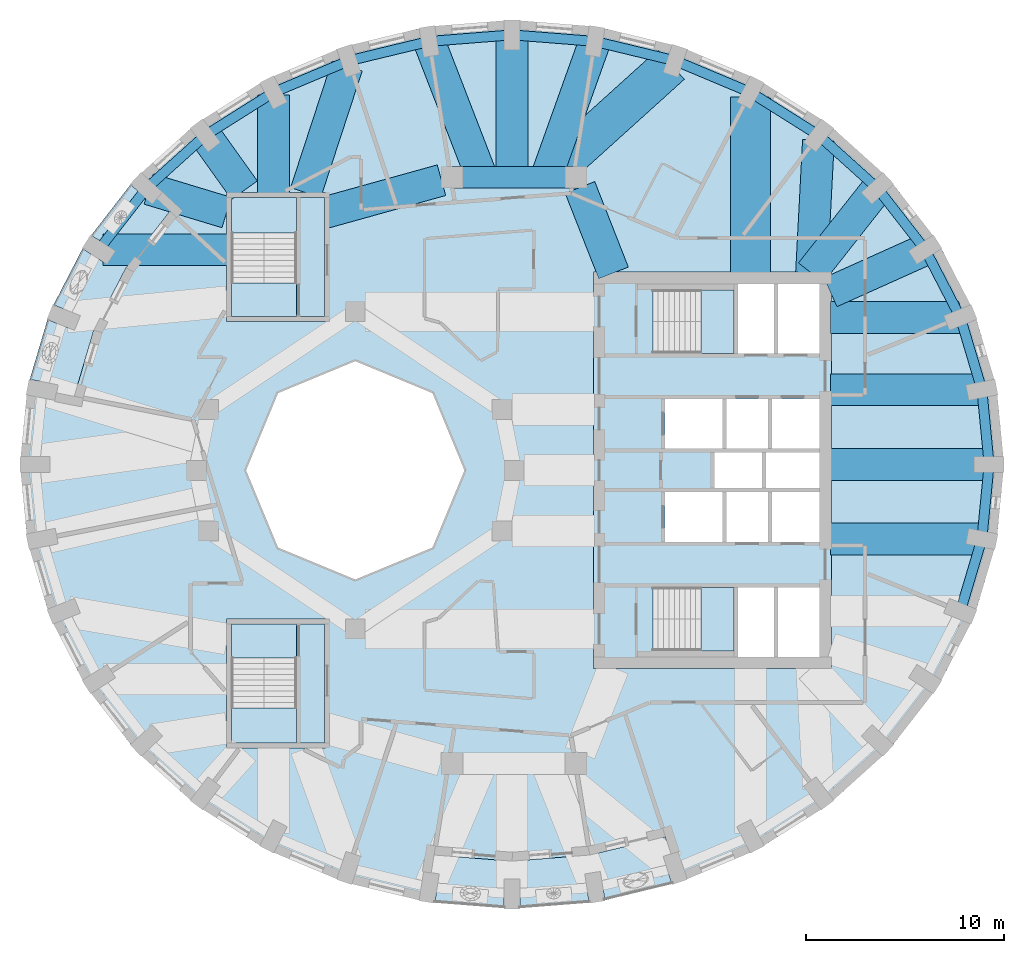
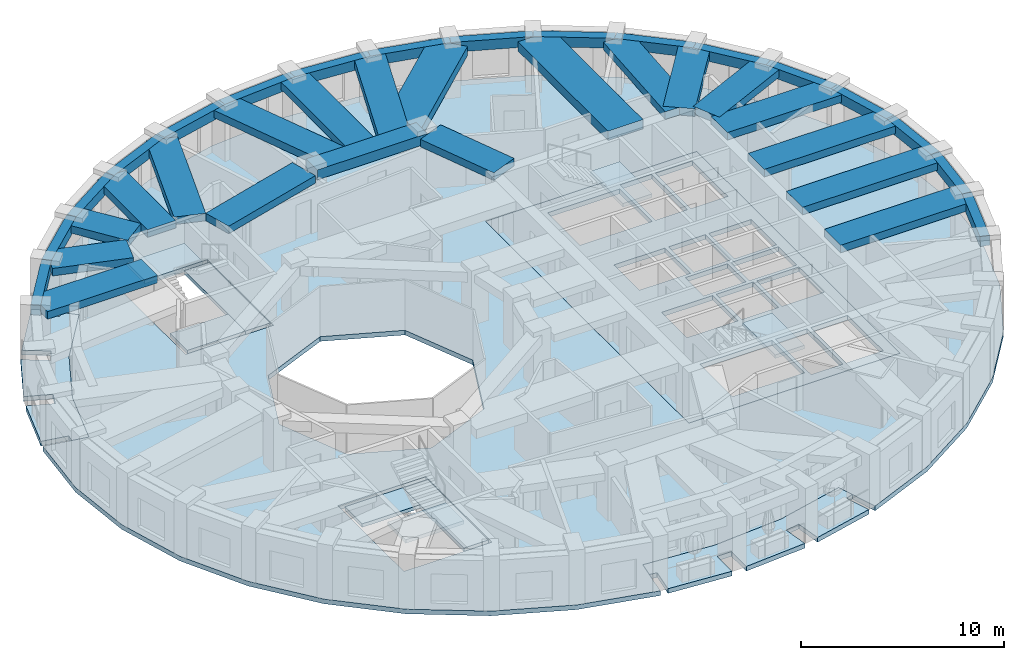
# One storey, part 2 of 12: 37 beams, 12 slabs, 4 elements without a shape of their own.
"""IFC4 building model written with IfcOpenShell, lengths in metres."""

from ifc_helpers import new_model, si_unit, direction, frame, origin, origin_2d, place, context, subcontext, project, spatial, polyline, rectangle, outline, extrude, material, layer, layer_set, material_profile, profile_set, type_object, element, aggregate, save


model = new_model("IFC4")

# Units and contexts
model_context = context("Model", 3, precision=1e-05, world=origin(), true_north=direction((0.0, 1.0)))
body_context = subcontext(model_context, "Body", "Model", "MODEL_VIEW")
ifc_project = project(units=[si_unit("LENGTHUNIT", "METRE"), si_unit("AREAUNIT", "SQUARE_METRE"), si_unit("VOLUMEUNIT", "CUBIC_METRE"), si_unit("PLANEANGLEUNIT", "RADIAN"), si_unit("MASSUNIT", "GRAM", prefix="KILO")], contexts=[model_context])

# Site, building, storey
site_placement = place(None, origin())
site = spatial("IfcSite", under=ifc_project, at=site_placement, CompositionType="ELEMENT")
building_placement = place(site_placement, origin())
building = spatial("IfcBuilding", under=site, at=building_placement, Name="Taillehof Tower", CompositionType="ELEMENT")
storey_placement = place(building_placement, frame((0.0, 0.0, 249.800048828125)))
storey = spatial("IfcBuildingStorey", under=building, at=storey_placement, Name="L71", CompositionType="ELEMENT", Elevation=249.800048828125)

# Beams
ifc_material_1 = material(Name="Concrete C50/60", Category="concrete")
ifc_material_profile_1 = material_profile(ifc_material_1, rectangle(XDim=1.10009765625, YDim=0.60009765625, at=origin_2d()), Name="RC 1100x600")
ifc_profile_set_1 = profile_set([ifc_material_profile_1], Name="Concrete C50/60")
beam_type_1 = type_object("IfcBeamType", Name="Mid-ring beam C50/60 1100x600", PredefinedType="BEAM", material=ifc_profile_set_1)
beam_1_placement = place(storey_placement, frame((3.125732421875, 14.772216796875, 2.719970703125), z_axis=(-1.0, 0.0, 0.0), x_axis=(0.0, -1.0, 0.0)))
element("IfcBeam", 1, at=beam_1_placement, inside=storey, type_object=beam_type_1, Name="Mid-ring beam MB01", PredefinedType="BEAM", context=body_context, shape_type="SweptSolid", body=[
    extrude(rectangle(XDim=1.10009765625, YDim=0.60009765625, at=origin_2d()), origin(), (0.0, 0.0, 1.0), 6.25146484375),
])
ifc_material_2 = material(Name="Concrete C50/60", Category="concrete")
ifc_material_profile_2 = material_profile(ifc_material_2, rectangle(XDim=1.60009765625, YDim=0.449951171875, at=origin_2d()), Name="RC 1600x450")
ifc_profile_set_2 = profile_set([ifc_material_profile_2], Name="Concrete C50/60")
beam_type_2 = type_object("IfcBeamType", Name="Radial band beam C50/60 1600x450", PredefinedType="BEAM", material=ifc_profile_set_2)
beam_2_placement = place(storey_placement, frame((23.949951171875, 0.300048828125, 2.794921875), z_axis=(-1.0, 0.0, 0.0), x_axis=(0.0, -1.0, 0.0)))
element("IfcBeam", 2, at=beam_2_placement, inside=storey, type_object=beam_type_2, Name="Radial band beam RB01", PredefinedType="BEAM", context=body_context, shape_type="SweptSolid", body=[
    extrude(rectangle(XDim=1.60009765625, YDim=0.449951171875, at=origin_2d()), origin(), (0.0, 0.0, 1.0), 8.0),
])
beam_3_placement = place(storey_placement, frame((23.584716796875, 4.0595703125, 2.794921875), z_axis=(-1.0, 0.0, 0.0), x_axis=(0.0, -1.0, 0.0)))
element("IfcBeam", 3, at=beam_3_placement, inside=storey, type_object=beam_type_2, Name="Radial band beam RB02", PredefinedType="BEAM", context=body_context, shape_type="SweptSolid", body=[
    extrude(rectangle(XDim=1.60009765625, YDim=0.449951171875, at=origin_2d()), origin(), (0.0, 0.0, 1.0), 7.634765625),
])
beam_4_placement = place(storey_placement, frame((22.44580078125, 7.704833984375, 2.794921875), z_axis=(-1.0, 0.0, 0.0), x_axis=(0.0, -1.0, 0.0)))
element("IfcBeam", 4, at=beam_4_placement, inside=storey, type_object=beam_type_2, Name="Radial band beam RB03", PredefinedType="BEAM", context=body_context, shape_type="SweptSolid", body=[
    extrude(rectangle(XDim=1.60009765625, YDim=0.449951171875, at=origin_2d()), origin(), (0.0, 0.0, 1.0), 6.495849609375),
])
beam_5_placement = place(storey_placement, frame((20.72802734375, 11.125, 2.794921875), z_axis=(-0.912110813011, -0.409943733685, 0.0), x_axis=(0.409943733685, -0.912110813011, 0.0)))
element("IfcBeam", 5, at=beam_5_placement, inside=storey, type_object=beam_type_2, Name="Radial band beam RB04", PredefinedType="BEAM", context=body_context, shape_type="SweptSolid", body=[
    extrude(rectangle(XDim=1.60009765625, YDim=0.449951171875, at=origin_2d()), origin(), (0.0, 0.0, 1.0), 5.233642578125),
])
beam_6_placement = place(storey_placement, frame((18.323486328125, 14.21630859375, 2.794921875), z_axis=(-0.619052480422, -0.785349620541, 0.0), x_axis=(0.785349620541, -0.619052480422, 0.0)))
element("IfcBeam", 6, at=beam_6_placement, inside=storey, type_object=beam_type_2, Name="Radial band beam RB05", PredefinedType="BEAM", context=body_context, shape_type="SweptSolid", body=[
    extrude(rectangle(XDim=1.60009765625, YDim=0.449951171875, at=origin_2d()), origin(), (0.0, 0.0, 1.0), 5.418701171875),
])
beam_7_placement = place(storey_placement, frame((15.3466796875, 16.645751953125, 2.794921875), z_axis=(-0.052105887855, -0.998641565553, 0.0), x_axis=(0.998641565553, -0.052105887855, 0.0)))
element("IfcBeam", 7, at=beam_7_placement, inside=storey, type_object=beam_type_2, Name="Radial band beam RB06", PredefinedType="BEAM", context=body_context, shape_type="SweptSolid", body=[
    extrude(rectangle(XDim=1.60009765625, YDim=0.449951171875, at=origin_2d()), origin(), (0.0, 0.0, 1.0), 6.704833984375),
])
beam_8_placement = place(storey_placement, frame((4.076171875, 21.62109375, 2.794921875), z_axis=(-0.33687426523, -0.941549642571, 0.0), x_axis=(0.941549642571, -0.33687426523, 0.0)))
element("IfcBeam", 8, at=beam_8_placement, inside=storey, type_object=beam_type_2, Name="Radial band beam RB09", PredefinedType="BEAM", context=body_context, shape_type="SweptSolid", body=[
    extrude(rectangle(XDim=1.60009765625, YDim=0.449951171875, at=origin_2d()), origin(), (0.0, 0.0, 1.0), 7.27392578125),
])
beam_9_placement = place(storey_placement, frame((-0.10009765625, 21.949951171875, 2.794921875), z_axis=(0.0, -1.0, 0.0), x_axis=(1.0, 0.0, 0.0)))
element("IfcBeam", 9, at=beam_9_placement, inside=storey, type_object=beam_type_2, Name="Radial band beam RB10", PredefinedType="BEAM", context=body_context, shape_type="SweptSolid", body=[
    extrude(rectangle(XDim=1.60009765625, YDim=0.449951171875, at=origin_2d()), origin(), (0.0, 0.0, 1.0), 7.177734375),
])
beam_10_placement = place(storey_placement, frame((-4.276123046875, 21.62109375, 2.794921875), z_axis=(0.360900836016, -0.932604196089, 0.0), x_axis=(0.932604196089, 0.360900836016, 0.0)))
element("IfcBeam", 10, at=beam_10_placement, inside=storey, type_object=beam_type_2, Name="Radial band beam RB11", PredefinedType="BEAM", context=body_context, shape_type="SweptSolid", body=[
    extrude(rectangle(XDim=1.60009765625, YDim=0.449951171875, at=origin_2d()), origin(), (0.0, 0.0, 1.0), 7.34375),
])
beam_11_placement = place(storey_placement, frame((-8.41162109375, 20.38134765625, 2.794921875), z_axis=(-0.311042642597, -0.950395956687, 0.0), x_axis=(0.950395956687, -0.311042642597, 0.0)))
element("IfcBeam", 11, at=beam_11_placement, inside=storey, type_object=beam_type_2, Name="Radial band beam RB12", PredefinedType="BEAM", context=body_context, shape_type="SweptSolid", body=[
    extrude(rectangle(XDim=1.60009765625, YDim=0.449951171875, at=origin_2d()), origin(), (0.0, 0.0, 1.0), 6.715576171875),
])
beam_12_placement = place(storey_placement, frame((-12.125, 18.91552734375, 2.794921875), z_axis=(0.0, -1.0, 0.0), x_axis=(1.0, 0.0, 0.0)))
element("IfcBeam", 12, at=beam_12_placement, inside=storey, type_object=beam_type_2, Name="Radial band beam RB13", PredefinedType="BEAM", context=body_context, shape_type="SweptSolid", body=[
    extrude(rectangle(XDim=1.60009765625, YDim=0.449951171875, at=origin_2d()), origin(), (0.0, 0.0, 1.0), 4.965576171875),
])
beam_13_placement = place(storey_placement, frame((-15.55908203125, 16.884765625, 2.794921875), z_axis=(0.580959197129, -0.813932682272, 0.0), x_axis=(0.813932682272, 0.580959197129, 0.0)))
element("IfcBeam", 13, at=beam_13_placement, inside=storey, type_object=beam_type_2, Name="Radial band beam RB14", PredefinedType="BEAM", context=body_context, shape_type="SweptSolid", body=[
    extrude(rectangle(XDim=1.60009765625, YDim=0.449951171875, at=origin_2d()), origin(), (0.0, 0.0, 1.0), 3.394287109375),
])
beam_14_placement = place(storey_placement, frame((-18.413818359375, 14.18310546875, 2.794921875), z_axis=(0.957221394865, -0.289356529584, 0.0), x_axis=(0.289356529584, 0.957221394865, 0.0)))
element("IfcBeam", 14, at=beam_14_placement, inside=storey, type_object=beam_type_2, Name="Radial band beam RB15", PredefinedType="BEAM", context=body_context, shape_type="SweptSolid", body=[
    extrude(rectangle(XDim=1.60009765625, YDim=0.449951171875, at=origin_2d()), origin(), (0.0, 0.0, 1.0), 4.102294921875),
])
beam_15_placement = place(storey_placement, frame((-20.7119140625, 11.125, 2.794921875), z_axis=(1.0, 0.0, 0.0), x_axis=(0.0, 1.0, 0.0)))
element("IfcBeam", 15, at=beam_15_placement, inside=storey, type_object=beam_type_2, Name="Radial band beam RB16", PredefinedType="BEAM", context=body_context, shape_type="SweptSolid", body=[
    extrude(rectangle(XDim=1.60009765625, YDim=0.449951171875, at=origin_2d()), origin(), (0.0, 0.0, 1.0), 6.261962890625),
])
beam_16_placement = place(storey_placement, frame((23.584716796875, -3.45947265625, 2.794921875), z_axis=(-1.0, 0.0, 0.0), x_axis=(0.0, -1.0, 0.0)))
element("IfcBeam", 16, at=beam_16_placement, inside=storey, type_object=beam_type_2, Name="Radial band beam RB36", PredefinedType="BEAM", context=body_context, shape_type="SweptSolid", body=[
    extrude(rectangle(XDim=1.60009765625, YDim=0.449951171875, at=origin_2d()), origin(), (0.0, 0.0, 1.0), 7.634765625),
])
beam_17_placement = place(storey_placement, frame((3.32666015625, 14.26025390625, 2.794921875), z_axis=(0.365588707223, -0.930776502255, 0.0), x_axis=(0.930776502255, 0.365588707223, 0.0)))
element("IfcBeam", 17, at=beam_17_placement, inside=storey, type_object=beam_type_2, Name="Inner band beam IB205", PredefinedType="BEAM", context=body_context, shape_type="SweptSolid", body=[
    extrude(rectangle(XDim=1.60009765625, YDim=0.449951171875, at=origin_2d()), origin(), (0.0, 0.0, 1.0), 4.627197265625),
])
beam_18_placement = place(storey_placement, frame((-3.655517578125, 14.624755859375, 2.794921875), z_axis=(-0.963459369536, -0.267854518821, 0.0), x_axis=(0.267854518821, -0.963459369536, 0.0)))
element("IfcBeam", 18, at=beam_18_placement, inside=storey, type_object=beam_type_2, Name="Inner band beam IB206", PredefinedType="BEAM", context=body_context, shape_type="SweptSolid", body=[
    extrude(rectangle(XDim=1.60009765625, YDim=0.449951171875, at=origin_2d()), origin(), (0.0, 0.0, 1.0), 6.096923828125),
])
ifc_material_3 = material(Name="Concrete C50/60", Category="concrete")
ifc_material_profile_3 = material_profile(ifc_material_3, rectangle(XDim=2.0, YDim=0.550048828125, at=origin_2d()), Name="RC 2000x550")
ifc_profile_set_3 = profile_set([ifc_material_profile_3], Name="Concrete C50/60")
beam_type_3 = type_object("IfcBeamType", Name="Radial band beam C50/60 2000x550", PredefinedType="BEAM", material=ifc_profile_set_3)
beam_19_placement = place(storey_placement, frame((11.925048828125, 18.8115234375, 2.744873046875), z_axis=(0.0, -1.0, 0.0), x_axis=(1.0, 0.0, 0.0)))
element("IfcBeam", 19, at=beam_19_placement, inside=storey, type_object=beam_type_3, Name="Radial band beam RB07", PredefinedType="BEAM", context=body_context, shape_type="SweptSolid", body=[
    extrude(rectangle(XDim=2.0, YDim=0.550048828125, at=origin_2d()), origin(), (0.0, 0.0, 1.0), 8.861572265625),
])
beam_20_placement = place(storey_placement, frame((7.9150390625, 20.4541015625, 2.744873046875), z_axis=(-0.742031364941, -0.670365164253, 0.0), x_axis=(0.670365164253, -0.742031364941, 0.0)))
element("IfcBeam", 20, at=beam_20_placement, inside=storey, type_object=beam_type_3, Name="Radial band beam RB08", PredefinedType="BEAM", context=body_context, shape_type="SweptSolid", body=[
    extrude(rectangle(XDim=2.0, YDim=0.550048828125, at=origin_2d()), origin(), (0.0, 0.0, 1.0), 8.189453125),
])
ifc_material_4 = material(Name="Concrete C50/60", Category="concrete")
ifc_material_profile_4 = material_profile(ifc_material_4, rectangle(XDim=0.5, YDim=0.60009765625, at=origin_2d()), Name="RC 500x600")
ifc_profile_set_4 = profile_set([ifc_material_profile_4], Name="Concrete C50/60")
beam_type_4 = type_object("IfcBeamType", Name="Spandrel beam C50/60 500x600", PredefinedType="SPANDREL", material=ifc_profile_set_4)
beam_21_placement = place(storey_placement, frame((23.949951171875, 0.300048828125, 2.719970703125), z_axis=(-0.096693940319, 0.995314162416, 0.0), x_axis=(-0.995314162416, -0.096693940319, 0.0)))
element("IfcBeam", 21, at=beam_21_placement, inside=storey, type_object=beam_type_4, Name="Spandrel beam SB01", PredefinedType="SPANDREL", context=body_context, shape_type="SweptSolid", body=[
    extrude(rectangle(XDim=0.5, YDim=0.60009765625, at=origin_2d()), origin(), (0.0, 0.0, 1.0), 3.777099609375),
])
beam_22_placement = place(storey_placement, frame((23.584716796875, 4.0595703125, 2.719970703125), z_axis=(-0.285327303248, 0.95843013831, 0.0), x_axis=(-0.95843013831, -0.285327303248, 0.0)))
element("IfcBeam", 22, at=beam_22_placement, inside=storey, type_object=beam_type_4, Name="Spandrel beam SB02", PredefinedType="SPANDREL", context=body_context, shape_type="SweptSolid", body=[
    extrude(rectangle(XDim=0.5, YDim=0.60009765625, at=origin_2d()), origin(), (0.0, 0.0, 1.0), 3.803466796875),
])
beam_23_placement = place(storey_placement, frame((22.49951171875, 7.704833984375, 2.719970703125), z_axis=(-0.45992118545, 0.887959741865, 0.0), x_axis=(-0.887959741865, -0.45992118545, 0.0)))
element("IfcBeam", 23, at=beam_23_placement, inside=storey, type_object=beam_type_4, Name="Spandrel beam SB03", PredefinedType="SPANDREL", context=body_context, shape_type="SweptSolid", body=[
    extrude(rectangle(XDim=0.5, YDim=0.60009765625, at=origin_2d()), origin(), (0.0, 0.0, 1.0), 3.851806640625),
])
beam_24_placement = place(storey_placement, frame((20.72802734375, 11.125, 2.719970703125), z_axis=(-0.613970823209, 0.78932872002, 0.0), x_axis=(-0.78932872002, -0.613970823209, 0.0)))
element("IfcBeam", 24, at=beam_24_placement, inside=storey, type_object=beam_type_4, Name="Spandrel beam SB04", PredefinedType="SPANDREL", context=body_context, shape_type="SweptSolid", body=[
    extrude(rectangle(XDim=0.5, YDim=0.60009765625, at=origin_2d()), origin(), (0.0, 0.0, 1.0), 3.916259765625),
])
beam_25_placement = place(storey_placement, frame((18.323486328125, 14.21630859375, 2.719970703125), z_axis=(-0.743227182134, 0.669039128704, 0.0), x_axis=(-0.669039128704, -0.743227182134, 0.0)))
element("IfcBeam", 25, at=beam_25_placement, inside=storey, type_object=beam_type_4, Name="Spandrel beam SB05", PredefinedType="SPANDREL", context=body_context, shape_type="SweptSolid", body=[
    extrude(rectangle(XDim=0.5, YDim=0.60009765625, at=origin_2d()), origin(), (0.0, 0.0, 1.0), 3.988525390625),
])
beam_26_placement = place(storey_placement, frame((15.359130859375, 16.884765625, 2.719970703125), z_axis=(-0.845944476237, 0.5332709847, 0.0), x_axis=(-0.5332709847, -0.845944476237, 0.0)))
element("IfcBeam", 26, at=beam_26_placement, inside=storey, type_object=beam_type_4, Name="Spandrel beam SB06", PredefinedType="SPANDREL", context=body_context, shape_type="SweptSolid", body=[
    extrude(rectangle(XDim=0.5, YDim=0.60009765625, at=origin_2d()), origin(), (0.0, 0.0, 1.0), 4.0595703125),
])
beam_27_placement = place(storey_placement, frame((11.925048828125, 19.049560546875, 2.719970703125), z_axis=(-0.922076419735, 0.387007850267, 0.0), x_axis=(-0.387007850267, -0.922076419735, 0.0)))
element("IfcBeam", 27, at=beam_27_placement, inside=storey, type_object=beam_type_4, Name="Spandrel beam SB07", PredefinedType="SPANDREL", context=body_context, shape_type="SweptSolid", body=[
    extrude(rectangle(XDim=0.5, YDim=0.60009765625, at=origin_2d()), origin(), (0.0, 0.0, 1.0), 4.12060546875),
])
beam_28_placement = place(storey_placement, frame((8.12548828125, 20.644287109375, 2.719970703125), z_axis=(-0.972115850295, 0.234501116425, 0.0), x_axis=(-0.234501116425, -0.972115850295, 0.0)))
element("IfcBeam", 28, at=beam_28_placement, inside=storey, type_object=beam_type_4, Name="Spandrel beam SB08", PredefinedType="SPANDREL", context=body_context, shape_type="SweptSolid", body=[
    extrude(rectangle(XDim=0.5, YDim=0.60009765625, at=origin_2d()), origin(), (0.0, 0.0, 1.0), 4.16552734375),
])
beam_29_placement = place(storey_placement, frame((4.076171875, 21.62109375, 2.719970703125), z_axis=(-0.996914011582, 0.078501296247, 0.0), x_axis=(-0.078501296247, -0.996914011582, 0.0)))
element("IfcBeam", 29, at=beam_29_placement, inside=storey, type_object=beam_type_4, Name="Spandrel beam SB09", PredefinedType="SPANDREL", context=body_context, shape_type="SweptSolid", body=[
    extrude(rectangle(XDim=0.5, YDim=0.60009765625, at=origin_2d()), origin(), (0.0, 0.0, 1.0), 4.189208984375),
])
beam_30_placement = place(storey_placement, frame((-0.10009765625, 21.949951171875, 2.719970703125), z_axis=(-0.996913652411, -0.07850585734, 0.0), x_axis=(0.07850585734, -0.996913652411, 0.0)))
element("IfcBeam", 30, at=beam_30_placement, inside=storey, type_object=beam_type_4, Name="Spandrel beam SB10", PredefinedType="SPANDREL", context=body_context, shape_type="SweptSolid", body=[
    extrude(rectangle(XDim=0.5, YDim=0.60009765625, at=origin_2d()), origin(), (0.0, 0.0, 1.0), 4.18896484375),
])
beam_31_placement = place(storey_placement, frame((-4.276123046875, 21.62109375, 2.719970703125), z_axis=(-0.972119073064, -0.234487756154, 0.0), x_axis=(0.234487756154, -0.972119073064, 0.0)))
element("IfcBeam", 31, at=beam_31_placement, inside=storey, type_object=beam_type_4, Name="Spandrel beam SB11", PredefinedType="SPANDREL", context=body_context, shape_type="SweptSolid", body=[
    extrude(rectangle(XDim=0.5, YDim=0.60009765625, at=origin_2d()), origin(), (0.0, 0.0, 1.0), 4.165771484375),
])
beam_32_placement = place(storey_placement, frame((-8.32568359375, 20.644287109375, 2.719970703125), z_axis=(-0.922067545136, -0.387028994013, 0.0), x_axis=(0.387028994013, -0.922067545136, 0.0)))
element("IfcBeam", 32, at=beam_32_placement, inside=storey, type_object=beam_type_4, Name="Spandrel beam SB12", PredefinedType="SPANDREL", context=body_context, shape_type="SweptSolid", body=[
    extrude(rectangle(XDim=0.5, YDim=0.60009765625, at=origin_2d()), origin(), (0.0, 0.0, 1.0), 4.120361328125),
])
beam_33_placement = place(storey_placement, frame((-12.125, 19.049560546875, 2.719970703125), z_axis=(-0.845944476237, -0.5332709847, 0.0), x_axis=(0.5332709847, -0.845944476237, 0.0)))
element("IfcBeam", 33, at=beam_33_placement, inside=storey, type_object=beam_type_4, Name="Spandrel beam SB13", PredefinedType="SPANDREL", context=body_context, shape_type="SweptSolid", body=[
    extrude(rectangle(XDim=0.5, YDim=0.60009765625, at=origin_2d()), origin(), (0.0, 0.0, 1.0), 4.0595703125),
])
beam_34_placement = place(storey_placement, frame((-15.55908203125, 16.884765625, 2.719970703125), z_axis=(-0.743227182134, -0.669039128704, 0.0), x_axis=(0.669039128704, -0.743227182134, 0.0)))
element("IfcBeam", 34, at=beam_34_placement, inside=storey, type_object=beam_type_4, Name="Spandrel beam SB14", PredefinedType="SPANDREL", context=body_context, shape_type="SweptSolid", body=[
    extrude(rectangle(XDim=0.5, YDim=0.60009765625, at=origin_2d()), origin(), (0.0, 0.0, 1.0), 3.988525390625),
])
beam_35_placement = place(storey_placement, frame((-18.5234375, 14.21630859375, 2.719970703125), z_axis=(-0.613970823209, -0.78932872002, 0.0), x_axis=(0.78932872002, -0.613970823209, 0.0)))
element("IfcBeam", 35, at=beam_35_placement, inside=storey, type_object=beam_type_4, Name="Spandrel beam SB15", PredefinedType="SPANDREL", context=body_context, shape_type="SweptSolid", body=[
    extrude(rectangle(XDim=0.5, YDim=0.60009765625, at=origin_2d()), origin(), (0.0, 0.0, 1.0), 3.916259765625),
])
beam_36_placement = place(storey_placement, frame((22.49951171875, -7.104736328125, 2.719970703125), z_axis=(0.285327303248, 0.95843013831, 0.0), x_axis=(-0.95843013831, 0.285327303248, 0.0)))
element("IfcBeam", 36, at=beam_36_placement, inside=storey, type_object=beam_type_4, Name="Spandrel beam SB35", PredefinedType="SPANDREL", context=body_context, shape_type="SweptSolid", body=[
    extrude(rectangle(XDim=0.5, YDim=0.60009765625, at=origin_2d()), origin(), (0.0, 0.0, 1.0), 3.803466796875),
])
beam_37_placement = place(storey_placement, frame((23.584716796875, -3.45947265625, 2.719970703125), z_axis=(0.096693940319, 0.995314162416, 0.0), x_axis=(-0.995314162416, 0.096693940319, 0.0)))
element("IfcBeam", 37, at=beam_37_placement, inside=storey, type_object=beam_type_4, Name="Spandrel beam SB36", PredefinedType="SPANDREL", context=body_context, shape_type="SweptSolid", body=[
    extrude(rectangle(XDim=0.5, YDim=0.60009765625, at=origin_2d()), origin(), (0.0, 0.0, 1.0), 3.777099609375),
])

# Slabs
ifc_material_5 = material(Name="Concrete C40/50", Category="concrete")
ifc_layer_1 = layer(ifc_material_5, 0.280029296875)
ifc_layer_set_1 = layer_set([ifc_layer_1], Name="Balcony slab 280")
slab_type_1 = type_object("IfcSlabType", Name="Balcony slab 280", PredefinedType="USERDEFINED", material=ifc_layer_set_1)
slab_1_placement = place(storey_placement, frame((0.0, 0.0, -0.280029296875)))
element("IfcSlab", 38, at=slab_1_placement, inside=storey, type_object=slab_type_1, Name="Balcony L71 pocket 8", ObjectType="BALCONY", PredefinedType="USERDEFINED", context=body_context, shape_type="SweptSolid", body=[
    extrude(outline(polyline([(7.632568359375, -18.46923828125), (7.913818359375, -19.324462890625), (7.511474609375, -19.456787109375), (7.968994140625, -20.84912109375), (4.584228515625, -21.668212890625), (4.353271484375, -20.217529296875), (3.563232421875, -20.34326171875), (3.7939453125, -21.792236328125), (0.300048828125, -22.068359375), (0.300048828125, -20.60009765625), (-0.5, -20.60009765625), (-0.5, -22.068359375), (-3.994140625, -21.792236328125), (-3.76318359375, -20.34326171875), (-4.170654296875, -20.278564453125), (-4.029052734375, -19.3896484375), (-0.10009765625, -19.699951171875), (3.8291015625, -19.3896484375), (7.632568359375, -18.46923828125)])), origin(), (0.0, 0.0, 1.0), 0.280029296875),
])
slab_2_placement = place(storey_placement, frame((0.0, 0.0, -0.280029296875)))
element("IfcSlab", 39, at=slab_2_placement, inside=storey, type_object=slab_type_1, Name="Balcony L71 pocket 4", ObjectType="BALCONY", PredefinedType="USERDEFINED", context=body_context, shape_type="SweptSolid", body=[
    extrude(outline(polyline([(-22.167724609375, 3.72998046875), (-23.051025390625, 3.90234375), (-22.971923828125, 4.308349609375), (-24.405029296875, 4.588134765625), (-23.511474609375, 7.6005859375), (-22.153564453125, 7.053466796875), (-21.8544921875, 7.79541015625), (-23.208251953125, 8.341064453125), (-21.74609375, 11.17333984375), (-20.511474609375, 10.384033203125), (-20.08056640625, 11.05810546875), (-21.310546875, 11.84423828125), (-19.320556640625, 14.4111328125), (-18.24609375, 13.412841796875), (-17.999755859375, 13.67822265625), (-17.339599609375, 13.06494140625), (-19.55517578125, 10.20751953125), (-21.17822265625, 7.064208984375), (-22.167724609375, 3.72998046875)])), origin(), (0.0, 0.0, 1.0), 0.280029296875),
])
ifc_material_6 = material(Name="Concrete C40/50", Category="concrete")
ifc_layer_2 = layer(ifc_material_6, 0.280029296875)
ifc_layer_set_2 = layer_set([ifc_layer_2], Name="Core floor slab C40/50 280")
slab_type_2 = type_object("IfcSlabType", Name="Core floor slab C40/50 280", PredefinedType="FLOOR", material=ifc_layer_set_2)
slab_3_placement = place(storey_placement, frame((0.0, 0.0, -0.280029296875)))
element("IfcSlab", 40, at=slab_3_placement, inside=storey, type_object=slab_type_2, Name="Core floor L71", PredefinedType="FLOOR", context=body_context, shape_type="SweptSolid", body=[
    extrude(outline(polyline([(4.0, -10.0), (4.0, 10.0), (16.0, 10.0), (16.0, -10.0), (4.0, -10.0)]), holes=[polyline([(11.10009765625, -9.10009765625), (11.10009765625, -5.89990234375), (7.00048828125, -5.89990234375), (7.00048828125, -9.10009765625), (11.10009765625, -9.10009765625)]), polyline([(10.5, -3.60009765625), (10.5, -1.10009765625), (7.60009765625, -1.10009765625), (7.60009765625, -3.60009765625), (10.5, -3.60009765625)]), polyline([(12.800048828125, -3.60009765625), (12.800048828125, -1.10009765625), (10.699951171875, -1.10009765625), (10.699951171875, -3.60009765625), (12.800048828125, -3.60009765625)]), polyline([(12.5, -0.89990234375), (12.5, 0.89990234375), (10.10009765625, 0.89990234375), (10.10009765625, -0.89990234375), (12.5, -0.89990234375)]), polyline([(10.5, 1.10009765625), (10.5, 3.60009765625), (7.60009765625, 3.60009765625), (7.60009765625, 1.10009765625), (10.5, 1.10009765625)]), polyline([(12.800048828125, 1.10009765625), (12.800048828125, 3.60009765625), (10.699951171875, 3.60009765625), (10.699951171875, 1.10009765625), (12.800048828125, 1.10009765625)]), polyline([(11.10009765625, 5.89990234375), (11.10009765625, 9.10009765625), (7.00048828125, 9.10009765625), (7.00048828125, 5.89990234375), (11.10009765625, 5.89990234375)]), polyline([(13.10009765625, -5.89990234375), (11.300048828125, -5.89990234375), (11.300048828125, -9.39990234375), (13.10009765625, -9.39990234375), (13.10009765625, -5.89990234375)]), polyline([(15.39990234375, -9.39990234375), (15.39990234375, -5.89990234375), (13.300048828125, -5.89990234375), (13.300048828125, -9.39990234375), (15.39990234375, -9.39990234375)]), polyline([(15.39990234375, -3.60009765625), (15.39990234375, -1.10009765625), (13.0, -1.10009765625), (13.0, -3.60009765625), (15.39990234375, -3.60009765625)]), polyline([(15.39990234375, -0.89990234375), (15.39990234375, 0.89990234375), (12.699951171875, 0.89990234375), (12.699951171875, -0.89990234375), (15.39990234375, -0.89990234375)]), polyline([(15.39990234375, 1.10009765625), (15.39990234375, 3.60009765625), (13.0, 3.60009765625), (13.0, 1.10009765625), (15.39990234375, 1.10009765625)]), polyline([(13.10009765625, 5.89990234375), (13.10009765625, 9.39990234375), (11.300048828125, 9.39990234375), (11.300048828125, 5.89990234375), (13.10009765625, 5.89990234375)]), polyline([(15.39990234375, 5.89990234375), (15.39990234375, 9.39990234375), (13.300048828125, 9.39990234375), (13.300048828125, 5.89990234375), (15.39990234375, 5.89990234375)])]), origin(), (0.0, 0.0, 1.0), 0.280029296875),
])
ifc_material_7 = material(Name="Concrete C40/50", Category="concrete")
ifc_layer_3 = layer(ifc_material_7, 0.280029296875)
ifc_layer_set_3 = layer_set([ifc_layer_3], Name="Floor slab 280")
slab_type_3 = type_object("IfcSlabType", Name="Floor slab 280", PredefinedType="FLOOR", material=ifc_layer_set_3)
slab_4_placement = place(storey_placement, frame((0.0, 0.0, -0.280029296875)))
element("IfcSlab", 41, at=slab_4_placement, inside=storey, type_object=slab_type_3, Name="Floor slab L71", PredefinedType="FLOOR", context=body_context, shape_type="SweptSolid", body=[
    extrude(outline(polyline([(24.699951171875, 0.300048828125), (24.3232421875, 4.189697265625), (23.204345703125, 7.961181640625), (21.37744140625, 11.5), (18.89794921875, 14.698486328125), (15.841064453125, 17.45947265625), (12.300048828125, 19.698974609375), (8.382080078125, 21.34912109375), (4.20654296875, 22.359619140625), (-0.10009765625, 22.699951171875), (-4.406494140625, 22.359619140625), (-8.58203125, 21.34912109375), (-12.5, 19.698974609375), (-16.041015625, 17.45947265625), (-19.097900390625, 14.698486328125), (-17.339599609375, 13.06494140625), (-19.555419921875, 10.20751953125), (-21.17822265625, 7.064208984375), (-22.167724609375, 3.72998046875), (-24.523193359375, 4.189697265625), (-24.89990234375, 0.300048828125), (-24.523193359375, -3.589599609375), (-23.404296875, -7.361328125), (-21.577392578125, -10.89990234375), (-19.097900390625, -14.098388671875), (-16.041015625, -16.859375), (-12.5, -19.09912109375), (-8.58203125, -20.7490234375), (-4.406494140625, -21.759765625), (-4.029052734375, -19.3896484375), (-0.10009765625, -19.699951171875), (3.8291015625, -19.3896484375), (7.632568359375, -18.46923828125), (8.382080078125, -20.7490234375), (12.300048828125, -19.09912109375), (15.841064453125, -16.859375), (18.89794921875, -14.098388671875), (21.37744140625, -10.89990234375), (23.204345703125, -7.361328125), (24.3232421875, -3.589599609375), (24.699951171875, 0.300048828125)]), holes=[polyline([(-14.5, -7.5), (-9.5, -7.5), (-9.5, -14.0), (-14.5, -14.0), (-14.5, -7.5)]), polyline([(-8.0, -5.5), (-11.88916015625, -3.88916015625), (-13.5, 0.0), (-11.88916015625, 3.88916015625), (-8.0, 5.5), (-4.11083984375, 3.88916015625), (-2.5, 0.0), (-4.11083984375, -3.88916015625), (-8.0, -5.5)]), polyline([(16.0, 10.0), (16.0, -10.0), (4.0, -10.0), (4.0, 10.0), (16.0, 10.0)]), polyline([(-14.5, 14.0), (-9.5, 14.0), (-9.5, 7.5), (-14.5, 7.5), (-14.5, 14.0)])]), origin(), (0.0, 0.0, 1.0), 0.280029296875),
])

# Stair, slab
ifc_material_8 = material(Name="Concrete C40/50", Category="concrete")
stair_type = type_object("IfcStairType", Name="Exit stair half-turn", PredefinedType="HALF_TURN_STAIR", material=ifc_material_8)
stair_1_placement = place(storey_placement, origin())
stair_1 = element("IfcStair", 42, at=stair_1_placement, inside=storey, type_object=stair_type, Name="Exit stair S1", PredefinedType="HALF_TURN_STAIR")
ifc_material_9 = material(Name="Concrete C40/50", Category="concrete")
ifc_layer_4 = layer(ifc_material_9, 0.2099609375)
ifc_layer_set_4 = layer_set([ifc_layer_4], Name="Stair landing C40/50 210")
slab_type_4 = type_object("IfcSlabType", Name="Stair landing C40/50 210", PredefinedType="LANDING", material=ifc_layer_set_4)
slab_5_placement = place(storey_placement, frame((0.0, 0.0, 1.43994140625)))
slab_5 = element("IfcSlab", 43, at=slab_5_placement, type_object=slab_type_4, Name="S1 landing 1", PredefinedType="LANDING", context=body_context, shape_type="SweptSolid", body=[
    extrude(outline(polyline([(9.429931640625, 5.89990234375), (11.10009765625, 5.89990234375), (11.10009765625, 9.10009765625), (9.429931640625, 9.10009765625), (9.429931640625, 5.89990234375)])), origin(), (0.0, 0.0, 1.0), 0.2099609375),
])
aggregate(stair_1, [slab_5])

stair_2_placement = place(storey_placement, origin())
stair_2 = element("IfcStair", 44, at=stair_2_placement, inside=storey, type_object=stair_type, Name="Exit stair S2", PredefinedType="HALF_TURN_STAIR")
slab_6_placement = place(storey_placement, frame((0.0, 0.0, 1.43994140625)))
slab_6 = element("IfcSlab", 45, at=slab_6_placement, type_object=slab_type_4, Name="S2 landing 1", PredefinedType="LANDING", context=body_context, shape_type="SweptSolid", body=[
    extrude(outline(polyline([(9.429931640625, -5.89990234375), (11.10009765625, -5.89990234375), (11.10009765625, -9.10009765625), (9.429931640625, -9.10009765625), (9.429931640625, -5.89990234375)])), origin(), (0.0, 0.0, 1.0), 0.2099609375),
])
aggregate(stair_2, [slab_6])

stair_3_placement = place(storey_placement, origin())
stair_3 = element("IfcStair", 46, at=stair_3_placement, inside=storey, type_object=stair_type, Name="Exit stair S3", PredefinedType="HALF_TURN_STAIR")
slab_7_placement = place(storey_placement, frame((0.0, 0.0, 1.43994140625)))
slab_7 = element("IfcSlab", 47, at=slab_7_placement, type_object=slab_type_4, Name="S3 landing 1", PredefinedType="LANDING", context=body_context, shape_type="SweptSolid", body=[
    extrude(outline(polyline([(-14.25, 11.969970703125), (-14.25, 13.75), (-10.949951171875, 13.75), (-10.949951171875, 11.969970703125), (-14.25, 11.969970703125)])), origin(), (0.0, 0.0, 1.0), 0.2099609375),
])
aggregate(stair_3, [slab_7])

stair_4_placement = place(storey_placement, origin())
stair_4 = element("IfcStair", 48, at=stair_4_placement, inside=storey, type_object=stair_type, Name="Exit stair S4", PredefinedType="HALF_TURN_STAIR")
slab_8_placement = place(storey_placement, frame((0.0, 0.0, 1.43994140625)))
slab_8 = element("IfcSlab", 49, at=slab_8_placement, type_object=slab_type_4, Name="S4 landing 1", PredefinedType="LANDING", context=body_context, shape_type="SweptSolid", body=[
    extrude(outline(polyline([(-14.25, -11.969970703125), (-14.25, -13.75), (-10.949951171875, -13.75), (-10.949951171875, -11.969970703125), (-14.25, -11.969970703125)])), origin(), (0.0, 0.0, 1.0), 0.2099609375),
])
aggregate(stair_4, [slab_8])

# Slabs
slab_9_placement = place(storey_placement, frame((0.0, 0.0, -0.2099609375)))
element("IfcSlab", 50, at=slab_9_placement, inside=storey, type_object=slab_type_4, Name="Stair S3 floor landing", PredefinedType="LANDING", context=body_context, shape_type="SweptSolid", body=[
    extrude(outline(polyline([(-14.25, 7.75), (-14.25, 9.449951171875), (-10.949951171875, 9.449951171875), (-10.949951171875, 7.75), (-14.25, 7.75)])), origin(), (0.0, 0.0, 1.0), 0.2099609375),
])
slab_10_placement = place(storey_placement, frame((0.0, 0.0, -0.2099609375)))
element("IfcSlab", 51, at=slab_10_placement, inside=storey, type_object=slab_type_4, Name="Stair lobby S3 floor", PredefinedType="LANDING", context=body_context, shape_type="SweptSolid", body=[
    extrude(outline(polyline([(-10.949951171875, 7.75), (-9.550048828125, 7.75), (-9.550048828125, 13.75), (-10.949951171875, 13.75), (-10.949951171875, 7.75)])), origin(), (0.0, 0.0, 1.0), 0.2099609375),
])
slab_11_placement = place(storey_placement, frame((0.0, 0.0, -0.2099609375)))
element("IfcSlab", 52, at=slab_11_placement, inside=storey, type_object=slab_type_4, Name="Stair S4 floor landing", PredefinedType="LANDING", context=body_context, shape_type="SweptSolid", body=[
    extrude(outline(polyline([(-14.25, -7.75), (-14.25, -9.449951171875), (-10.949951171875, -9.449951171875), (-10.949951171875, -7.75), (-14.25, -7.75)])), origin(), (0.0, 0.0, 1.0), 0.2099609375),
])
slab_12_placement = place(storey_placement, frame((0.0, 0.0, -0.2099609375)))
element("IfcSlab", 53, at=slab_12_placement, inside=storey, type_object=slab_type_4, Name="Stair lobby S4 floor", PredefinedType="LANDING", context=body_context, shape_type="SweptSolid", body=[
    extrude(outline(polyline([(-10.949951171875, -13.75), (-9.550048828125, -13.75), (-9.550048828125, -7.75), (-10.949951171875, -7.75), (-10.949951171875, -13.75)])), origin(), (0.0, 0.0, 1.0), 0.2099609375),
])

save(model, "model.ifc")
